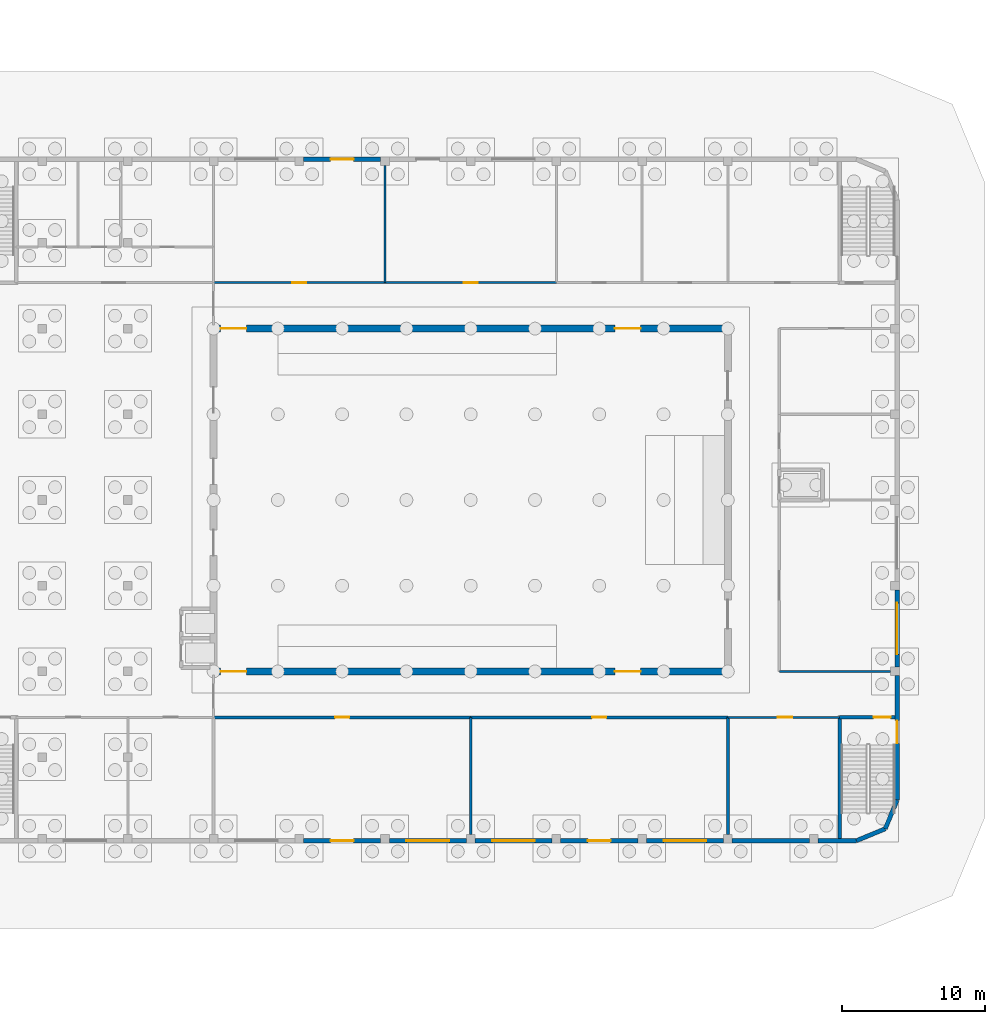
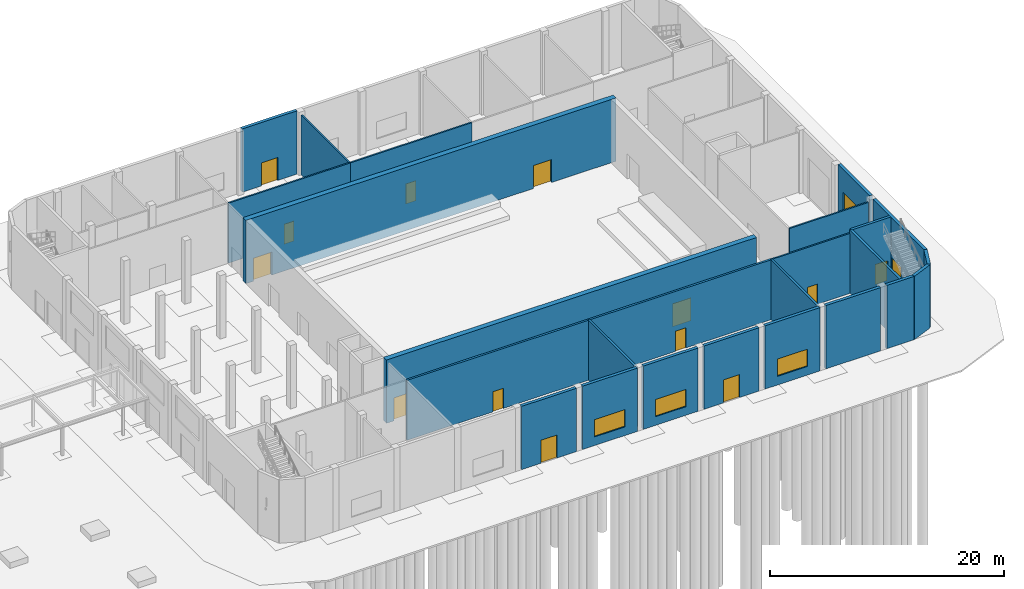
# One storey, part 34 of 44: 25 walls, 15 doors, 3 windows, 18 openings.
"""IFC4 building model written with IfcOpenShell, lengths in metres."""

from ifc_helpers import new_model, si_unit, direction, frame, frame_2d, origin, place, context, subcontext, project, spatial, rectangle, extrude, material, layer, layer_set, type_object, element, fill, save


model = new_model("IFC4")

# Units and contexts
model_context = context("Model", 3, precision=1e-05, world=origin(), true_north=direction((0.0, 1.0)))
body_context = subcontext(model_context, "Body", "Model", "MODEL_VIEW")
ifc_project = project(units=[si_unit("LENGTHUNIT", "METRE"), si_unit("AREAUNIT", "SQUARE_METRE"), si_unit("VOLUMEUNIT", "CUBIC_METRE"), si_unit("PLANEANGLEUNIT", "RADIAN"), si_unit("MASSUNIT", "GRAM", prefix="KILO")], contexts=[model_context])

# Site, building, storey
site_placement = place(None, origin())
site = spatial("IfcSite", under=ifc_project, at=site_placement, CompositionType="ELEMENT")
building_placement = place(site_placement, origin())
building = spatial("IfcBuilding", under=site, at=building_placement, Name="Nakaniwa Court", CompositionType="ELEMENT")
storey_placement = place(building_placement, origin())
storey = spatial("IfcBuildingStorey", under=building, at=storey_placement, Name="L00", CompositionType="ELEMENT", Elevation=0.0)

# Wall, opening, door
ifc_material_1 = material(Name="Double steel stud acoustic partition with mineral wool", Category="steel")
ifc_layer_1 = layer(ifc_material_1, 0.199951171875)
ifc_layer_set_1 = layer_set([ifc_layer_1], Name="Double steel stud acoustic partition with mineral wool")
wall_type_1 = type_object("IfcWallType", Name="Acoustic partition 200", PredefinedType="PARTITIONING", material=ifc_layer_set_1)
wall_1_placement = place(storey_placement, frame((188.0, 64.784912109375, 0.0), z_axis=(0.0, 0.0, 1.0), x_axis=(-1.0, 0.0, 0.0)))
wall_1 = element("IfcWall", 1, at=wall_1_placement, inside=storey, type_object=wall_type_1, Name="L00 partition wall 23", PredefinedType="PARTITIONING", context=body_context, shape_type="SweptSolid", body=[
    extrude(rectangle(XDim=18.0, YDim=0.199951171875, at=frame_2d((9.0, 0.0))), origin(), (0.0, 0.0, 1.0), 6.25),
])
opening_1_placement = place(wall_1_placement, frame((8.5, 0.0, 0.0)))
opening_1 = element("IfcOpeningElement", 2, at=opening_1_placement, cuts=wall_1, Name="Opening HD-25", PredefinedType="OPENING", context=body_context, shape_type="SweptSolid", body=[
    extrude(rectangle(XDim=1.0, YDim=2.10009765625, at=frame_2d((0.5, 1.050048828125))), frame((0.0, 0.10986328125, 0.0), z_axis=(0.0, -1.0, 0.0), x_axis=(1.0, 0.0, 0.0)), (0.0, 0.0, 1.0), 0.219970703125),
])
ifc_material_2 = material(Name="Solid-core timber door leaf in steel frame", Category="steel")
door_type_1 = type_object("IfcDoorType", Name="Hall door 1000x2100", OperationType="SINGLE_SWING_LEFT", PredefinedType="DOOR", material=ifc_material_2)
door_1_placement = place(opening_1_placement, origin())
door_1 = element("IfcDoor", 3, at=door_1_placement, inside=storey, type_object=door_type_1, Name="L00 door Rehearsal-room-1", OperationType="SINGLE_SWING_RIGHT", OverallHeight=2.10009765625, OverallWidth=1.0, PredefinedType="DOOR", context=body_context, shape_type="SweptSolid", body=[
    extrude(rectangle(XDim=1.0, YDim=2.10009765625, at=frame_2d((0.5, 1.050048828125))), frame((0.0, 0.02490234375, 0.0), z_axis=(0.0, -1.0, 0.0), x_axis=(1.0, 0.0, 0.0)), (0.0, 0.0, 1.0), 0.050048828125),
])
fill(opening_1, door_1)

# Wall
wall_2_placement = place(storey_placement, frame((188.0, 64.784912109375, 0.0), z_axis=(0.0, 0.0, 1.0), x_axis=(0.0, -1.0, 0.0)))
element("IfcWall", 4, at=wall_2_placement, inside=storey, type_object=wall_type_1, Name="L00 partition wall 31", PredefinedType="PARTITIONING", context=body_context, shape_type="SweptSolid", body=[
    extrude(rectangle(XDim=8.184814453125, YDim=0.199951171875, at=frame_2d((4.09228515625, 0.0))), origin(), (0.0, 0.0, 1.0), 6.25),
])

# Wall, opening, door
wall_3_placement = place(storey_placement, frame((206.0, 64.784912109375, 0.0), z_axis=(0.0, 0.0, 1.0), x_axis=(-1.0, 0.0, 0.0)))
wall_3 = element("IfcWall", 5, at=wall_3_placement, inside=storey, type_object=wall_type_1, Name="L00 partition wall 32", PredefinedType="PARTITIONING", context=body_context, shape_type="SweptSolid", body=[
    extrude(rectangle(XDim=18.0, YDim=0.199951171875, at=frame_2d((9.0, 0.0))), origin(), (0.0, 0.0, 1.0), 6.25),
])
opening_2_placement = place(wall_3_placement, frame((8.5, 0.0, 0.0)))
opening_2 = element("IfcOpeningElement", 6, at=opening_2_placement, cuts=wall_3, Name="Opening HD-30", PredefinedType="OPENING", context=body_context, shape_type="SweptSolid", body=[
    extrude(rectangle(XDim=1.0, YDim=2.10009765625, at=frame_2d((0.5, 1.050048828125))), frame((0.0, 0.10986328125, 0.0), z_axis=(0.0, -1.0, 0.0), x_axis=(1.0, 0.0, 0.0)), (0.0, 0.0, 1.0), 0.219970703125),
])
door_2_placement = place(opening_2_placement, origin())
door_2 = element("IfcDoor", 7, at=door_2_placement, inside=storey, type_object=door_type_1, Name="L00 door Rehearsal-room-2", OperationType="SINGLE_SWING_LEFT", OverallHeight=2.10009765625, OverallWidth=1.0, PredefinedType="DOOR", context=body_context, shape_type="SweptSolid", body=[
    extrude(rectangle(XDim=1.0, YDim=2.10009765625, at=frame_2d((0.5, 1.050048828125))), frame((0.0, 0.02490234375, 0.0), z_axis=(0.0, -1.0, 0.0), x_axis=(1.0, 0.0, 0.0)), (0.0, 0.0, 1.0), 0.050048828125),
])
fill(opening_2, door_2)

# Wall
wall_4_placement = place(storey_placement, frame((206.0, 64.784912109375, 0.0), z_axis=(0.0, 0.0, 1.0), x_axis=(0.0, -1.0, 0.0)))
element("IfcWall", 8, at=wall_4_placement, inside=storey, type_object=wall_type_1, Name="L00 partition wall 37", PredefinedType="PARTITIONING", context=body_context, shape_type="SweptSolid", body=[
    extrude(rectangle(XDim=8.184814453125, YDim=0.199951171875, at=frame_2d((4.09228515625, 0.0))), origin(), (0.0, 0.0, 1.0), 6.25),
])

# Wall, openings, doors
ifc_material_3 = material(Name="Concrete C50/60", Category="concrete")
ifc_layer_2 = layer(ifc_material_3, 0.5)
ifc_layer_set_2 = layer_set([ifc_layer_2], Name="Concrete C50/60")
wall_type_2 = type_object("IfcWallType", Name="Auditorium acoustic mass wall RC 500", PredefinedType="SHEAR", material=ifc_layer_set_2)
wall_5_placement = place(storey_placement, frame((206.25, 68.0, 0.0), z_axis=(0.0, 0.0, 1.0), x_axis=(-1.0, 0.0, 0.0)))
wall_5 = element("IfcWall", 9, at=wall_5_placement, inside=storey, type_object=wall_type_2, Name="Auditorium south wall L00", PredefinedType="SHEAR", context=body_context, shape_type="SweptSolid", body=[
    extrude(rectangle(XDim=36.5, YDim=0.5, at=frame_2d((18.25, 0.0))), origin(), (0.0, 0.0, 1.0), 6.60009765625),
])
opening_3_placement = place(wall_5_placement, frame((33.949951171875, 0.0, 0.0)))
opening_3 = element("IfcOpeningElement", 10, at=opening_3_placement, cuts=wall_5, Name="Opening HD-43", PredefinedType="OPENING", context=body_context, shape_type="SweptSolid", body=[
    extrude(rectangle(XDim=1.800048828125, YDim=2.39990234375, at=frame_2d((0.89990234375, 1.199951171875))), frame((0.0, 0.260009765625, 0.0), z_axis=(0.0, -1.0, 0.0), x_axis=(1.0, 0.0, 0.0)), (0.0, 0.0, 1.0), 0.52001953125),
])
opening_4_placement = place(wall_5_placement, frame((6.35009765625, 0.0, 0.0)))
opening_4 = element("IfcOpeningElement", 11, at=opening_4_placement, cuts=wall_5, Name="Opening HD-45", PredefinedType="OPENING", context=body_context, shape_type="SweptSolid", body=[
    extrude(rectangle(XDim=1.800048828125, YDim=2.39990234375, at=frame_2d((0.89990234375, 1.199951171875))), frame((0.0, 0.260009765625, 0.0), z_axis=(0.0, -1.0, 0.0), x_axis=(1.0, 0.0, 0.0)), (0.0, 0.0, 1.0), 0.52001953125),
])
ifc_material_4 = material(Name="Acoustic solid-core timber double leaf in steel frame", Category="steel")
door_type_2 = type_object("IfcDoorType", Name="Hall acoustic double door 1800x2400", OperationType="DOUBLE_DOOR_SINGLE_SWING", PredefinedType="DOOR", material=ifc_material_4)
door_3_placement = place(opening_3_placement, origin())
door_3 = element("IfcDoor", 12, at=door_3_placement, inside=storey, type_object=door_type_2, Name="L00 door side-S1", OperationType="DOUBLE_DOOR_SINGLE_SWING", OverallHeight=2.39990234375, OverallWidth=1.800048828125, PredefinedType="DOOR", context=body_context, shape_type="SweptSolid", body=[
    extrude(rectangle(XDim=1.800048828125, YDim=2.39990234375, at=frame_2d((0.89990234375, 1.199951171875))), frame((0.0, 0.02490234375, 0.0), z_axis=(0.0, -1.0, 0.0), x_axis=(1.0, 0.0, 0.0)), (0.0, 0.0, 1.0), 0.050048828125),
])
fill(opening_3, door_3)
door_4_placement = place(opening_4_placement, origin())
door_4 = element("IfcDoor", 13, at=door_4_placement, inside=storey, type_object=door_type_2, Name="L00 door side-S2", OperationType="DOUBLE_DOOR_SINGLE_SWING", OverallHeight=2.39990234375, OverallWidth=1.800048828125, PredefinedType="DOOR", context=body_context, shape_type="SweptSolid", body=[
    extrude(rectangle(XDim=1.800048828125, YDim=2.39990234375, at=frame_2d((0.89990234375, 1.199951171875))), frame((0.0, 0.02490234375, 0.0), z_axis=(0.0, -1.0, 0.0), x_axis=(1.0, 0.0, 0.0)), (0.0, 0.0, 1.0), 0.050048828125),
])
fill(opening_4, door_4)

wall_6_placement = place(storey_placement, frame((169.75, 92.0, 0.0), z_axis=(0.0, 0.0, 1.0), x_axis=(1.0, 0.0, 0.0)))
wall_6 = element("IfcWall", 14, at=wall_6_placement, inside=storey, type_object=wall_type_2, Name="Auditorium north wall L00", PredefinedType="SHEAR", context=body_context, shape_type="SweptSolid", body=[
    extrude(rectangle(XDim=36.5, YDim=0.5, at=frame_2d((18.25, 0.0))), origin(), (0.0, 0.0, 1.0), 6.60009765625),
])
opening_5_placement = place(wall_6_placement, frame((0.75, 0.0, 0.0)))
opening_5 = element("IfcOpeningElement", 15, at=opening_5_placement, cuts=wall_6, Name="Opening HD-44", PredefinedType="OPENING", context=body_context, shape_type="SweptSolid", body=[
    extrude(rectangle(XDim=1.800048828125, YDim=2.39990234375, at=frame_2d((0.89990234375, 1.199951171875))), frame((0.0, 0.260009765625, 0.0), z_axis=(0.0, -1.0, 0.0), x_axis=(1.0, 0.0, 0.0)), (0.0, 0.0, 1.0), 0.52001953125),
])
opening_6_placement = place(wall_6_placement, frame((28.35009765625, 0.0, 0.0)))
opening_6 = element("IfcOpeningElement", 16, at=opening_6_placement, cuts=wall_6, Name="Opening HD-46", PredefinedType="OPENING", context=body_context, shape_type="SweptSolid", body=[
    extrude(rectangle(XDim=1.800048828125, YDim=2.39990234375, at=frame_2d((0.89990234375, 1.199951171875))), frame((0.0, 0.260009765625, 0.0), z_axis=(0.0, -1.0, 0.0), x_axis=(1.0, 0.0, 0.0)), (0.0, 0.0, 1.0), 0.52001953125),
])
door_5_placement = place(opening_5_placement, origin())
door_5 = element("IfcDoor", 17, at=door_5_placement, inside=storey, type_object=door_type_2, Name="L00 door side-N1", OperationType="DOUBLE_DOOR_SINGLE_SWING", OverallHeight=2.39990234375, OverallWidth=1.800048828125, PredefinedType="DOOR", context=body_context, shape_type="SweptSolid", body=[
    extrude(rectangle(XDim=1.800048828125, YDim=2.39990234375, at=frame_2d((0.89990234375, 1.199951171875))), frame((0.0, 0.02490234375, 0.0), z_axis=(0.0, -1.0, 0.0), x_axis=(1.0, 0.0, 0.0)), (0.0, 0.0, 1.0), 0.050048828125),
])
fill(opening_5, door_5)
door_6_placement = place(opening_6_placement, origin())
door_6 = element("IfcDoor", 18, at=door_6_placement, inside=storey, type_object=door_type_2, Name="L00 door side-N2", OperationType="DOUBLE_DOOR_SINGLE_SWING", OverallHeight=2.39990234375, OverallWidth=1.800048828125, PredefinedType="DOOR", context=body_context, shape_type="SweptSolid", body=[
    extrude(rectangle(XDim=1.800048828125, YDim=2.39990234375, at=frame_2d((0.89990234375, 1.199951171875))), frame((0.0, 0.02490234375, 0.0), z_axis=(0.0, -1.0, 0.0), x_axis=(1.0, 0.0, 0.0)), (0.0, 0.0, 1.0), 0.050048828125),
])
fill(opening_6, door_6)

# Wall, opening, door
ifc_layer_3 = layer(ifc_material_3, 0.300048828125)
ifc_layer_set_3 = layer_set([ifc_layer_3], Name="Concrete C50/60")
wall_type_3 = type_object("IfcWallType", Name="Fair faced concrete wall 300", PredefinedType="SOLIDWALL", material=ifc_layer_set_3)
wall_7_placement = place(storey_placement, frame((176.300048828125, 103.85009765625, 0.0), z_axis=(0.0, 0.0, 1.0), x_axis=(1.0, 0.0, 0.0)))
wall_7 = element("IfcWall", 19, at=wall_7_placement, inside=storey, type_object=wall_type_3, Name="Facade wall L00 15", PredefinedType="SOLIDWALL", context=body_context, shape_type="SweptSolid", body=[
    extrude(rectangle(XDim=5.39990234375, YDim=0.300048828125, at=frame_2d((2.699951171875, 0.0))), origin(), (0.0, 0.0, 1.0), 6.60009765625),
])
opening_7_placement = place(wall_7_placement, frame((1.89990234375, 0.0, 0.0)))
opening_7 = element("IfcOpeningElement", 20, at=opening_7_placement, cuts=wall_7, Name="Opening HD-09", PredefinedType="OPENING", context=body_context, shape_type="SweptSolid", body=[
    extrude(rectangle(XDim=1.60009765625, YDim=2.39990234375, at=frame_2d((0.800048828125, 1.199951171875))), frame((0.0, 0.159912109375, 0.0), z_axis=(0.0, -1.0, 0.0), x_axis=(1.0, 0.0, 0.0)), (0.0, 0.0, 1.0), 0.320068359375),
])
ifc_material_5 = material(Name="Insulated steel door leaf in steel frame", Category="steel")
door_type_3 = type_object("IfcDoorType", Name="Hall exit double door 1600x2400", OperationType="DOUBLE_DOOR_SINGLE_SWING", PredefinedType="DOOR", material=ifc_material_5)
door_7_placement = place(opening_7_placement, origin())
door_7 = element("IfcDoor", 21, at=door_7_placement, inside=storey, type_object=door_type_3, Name="Exit door Green room", OperationType="SINGLE_SWING_LEFT", OverallHeight=2.39990234375, OverallWidth=1.60009765625, PredefinedType="DOOR", context=body_context, shape_type="SweptSolid", body=[
    extrude(rectangle(XDim=1.60009765625, YDim=2.39990234375, at=frame_2d((0.800048828125, 1.199951171875))), frame((0.0, 0.02490234375, 0.0), z_axis=(0.0, -1.0, 0.0), x_axis=(1.0, 0.0, 0.0)), (0.0, 0.0, 1.0), 0.050048828125),
])
fill(opening_7, door_7)

wall_8_placement = place(storey_placement, frame((217.85009765625, 73.699951171875, 0.0), z_axis=(0.0, 0.0, 1.0), x_axis=(0.0, -1.0, 0.0)))
wall_8 = element("IfcWall", 22, at=wall_8_placement, inside=storey, type_object=wall_type_3, Name="Facade wall L00 28", PredefinedType="SOLIDWALL", context=body_context, shape_type="SweptSolid", body=[
    extrude(rectangle(XDim=5.39990234375, YDim=0.300048828125, at=frame_2d((2.699951171875, 0.0))), origin(), (0.0, 0.0, 1.0), 6.60009765625),
])
opening_8_placement = place(wall_8_placement, frame((0.89990234375, 0.0, 0.0)))
opening_8 = element("IfcOpeningElement", 23, at=opening_8_placement, cuts=wall_8, Name="Opening HD-13", PredefinedType="OPENING", context=body_context, shape_type="SweptSolid", body=[
    extrude(rectangle(XDim=3.60009765625, YDim=4.199951171875, at=frame_2d((1.800048828125, 2.10009765625))), frame((0.0, 0.159912109375, 0.0), z_axis=(0.0, -1.0, 0.0), x_axis=(1.0, 0.0, 0.0)), (0.0, 0.0, 1.0), 0.320068359375),
])
ifc_material_6 = material(Name="Insulated galvanised steel roller shutter", Category="steel")
door_type_4 = type_object("IfcDoorType", Name="Hall loading dock roller shutter 3600x4200", OperationType="ROLLINGUP", PredefinedType="DOOR", material=ifc_material_6)
door_8_placement = place(opening_8_placement, origin())
door_8 = element("IfcDoor", 24, at=door_8_placement, inside=storey, type_object=door_type_4, Name="Loading dock shutter 027", OperationType="SINGLE_SWING_LEFT", OverallHeight=4.199951171875, OverallWidth=3.60009765625, PredefinedType="DOOR", context=body_context, shape_type="SweptSolid", body=[
    extrude(rectangle(XDim=3.60009765625, YDim=4.199951171875, at=frame_2d((1.800048828125, 2.10009765625))), frame((0.0, 0.02490234375, 0.0), z_axis=(0.0, -1.0, 0.0), x_axis=(1.0, 0.0, 0.0)), (0.0, 0.0, 1.0), 0.050048828125),
])
fill(opening_8, door_8)

wall_9_placement = place(storey_placement, frame((217.85009765625, 67.699951171875, 0.0), z_axis=(0.0, 0.0, 1.0), x_axis=(0.0, -1.0, 0.0)))
wall_9 = element("IfcWall", 25, at=wall_9_placement, inside=storey, type_object=wall_type_3, Name="Facade wall L00 29", PredefinedType="SOLIDWALL", context=body_context, shape_type="SweptSolid", body=[
    extrude(rectangle(XDim=8.699951171875, YDim=0.300048828125, at=frame_2d((4.35009765625, 0.0))), origin(), (0.0, 0.0, 1.0), 6.60009765625),
])
opening_9_placement = place(wall_9_placement, frame((3.139892578125, 0.0, 0.0)))
opening_9 = element("IfcOpeningElement", 26, at=opening_9_placement, cuts=wall_9, Name="Opening HD-14", PredefinedType="OPENING", context=body_context, shape_type="SweptSolid", body=[
    extrude(rectangle(XDim=1.60009765625, YDim=2.39990234375, at=frame_2d((0.800048828125, 1.199951171875))), frame((0.0, 0.159912109375, 0.0), z_axis=(0.0, -1.0, 0.0), x_axis=(1.0, 0.0, 0.0)), (0.0, 0.0, 1.0), 0.320068359375),
])
door_9_placement = place(opening_9_placement, origin())
door_9 = element("IfcDoor", 27, at=door_9_placement, inside=storey, type_object=door_type_3, Name="Exit door ST-H3", OperationType="SINGLE_SWING_LEFT", OverallHeight=2.39990234375, OverallWidth=1.60009765625, PredefinedType="DOOR", context=body_context, shape_type="SweptSolid", body=[
    extrude(rectangle(XDim=1.60009765625, YDim=2.39990234375, at=frame_2d((0.800048828125, 1.199951171875))), frame((0.0, 0.02490234375, 0.0), z_axis=(0.0, -1.0, 0.0), x_axis=(1.0, 0.0, 0.0)), (0.0, 0.0, 1.0), 0.050048828125),
])
fill(opening_9, door_9)

# Walls
for number, where, z_axis, x_axis, name in (
    (28, (217.85009765625, 59.0, 0.0), (0.0, 0.0, 1.0), (-0.382651625058, -0.923892706888, 0.0), "Facade wall L00 30"),
    (29, (217.015380859375, 56.984619140625, 0.0), (0.0, 0.0, 1.0), (-0.923892706888, -0.382651625058, 0.0), "Facade wall L00 31"),
):
    element("IfcWall", number, at=place(storey_placement, frame(where, z_axis=z_axis, x_axis=x_axis)), inside=storey, type_object=wall_type_3, Name=name, PredefinedType="SOLIDWALL", context=body_context, shape_type="SweptSolid", body=[
        extrude(rectangle(XDim=2.181396484375, YDim=0.300048828125, at=frame_2d((1.0908203125, 0.0))), origin(), (0.0, 0.0, 1.0), 6.60009765625),
    ])
wall_10_placement = place(storey_placement, frame((215.0, 56.14990234375, 0.0), z_axis=(0.0, 0.0, 1.0), x_axis=(-1.0, 0.0, 0.0)))
element("IfcWall", 30, at=wall_10_placement, inside=storey, type_object=wall_type_3, Name="Facade wall L00 32", PredefinedType="SOLIDWALL", context=body_context, shape_type="SweptSolid", body=[
    extrude(rectangle(XDim=2.699951171875, YDim=0.300048828125, at=frame_2d((1.35009765625, 0.0))), origin(), (0.0, 0.0, 1.0), 6.60009765625),
])
wall_11_placement = place(storey_placement, frame((211.699951171875, 56.14990234375, 0.0), z_axis=(0.0, 0.0, 1.0), x_axis=(-1.0, 0.0, 0.0)))
element("IfcWall", 31, at=wall_11_placement, inside=storey, type_object=wall_type_3, Name="Facade wall L00 33", PredefinedType="SOLIDWALL", context=body_context, shape_type="SweptSolid", body=[
    extrude(rectangle(XDim=5.39990234375, YDim=0.300048828125, at=frame_2d((2.699951171875, 0.0))), origin(), (0.0, 0.0, 1.0), 6.60009765625),
])

# Wall, opening, window
wall_12_placement = place(storey_placement, frame((205.699951171875, 56.14990234375, 0.0), z_axis=(0.0, 0.0, 1.0), x_axis=(-1.0, 0.0, 0.0)))
wall_12 = element("IfcWall", 32, at=wall_12_placement, inside=storey, type_object=wall_type_3, Name="Facade wall L00 34", PredefinedType="SOLIDWALL", context=body_context, shape_type="SweptSolid", body=[
    extrude(rectangle(XDim=5.39990234375, YDim=0.300048828125, at=frame_2d((2.699951171875, 0.0))), origin(), (0.0, 0.0, 1.0), 6.60009765625),
])
opening_10_placement = place(wall_12_placement, frame((1.199951171875, 0.0, 0.89990234375)))
opening_10 = element("IfcOpeningElement", 33, at=opening_10_placement, cuts=wall_12, Name="Opening HWN-13", PredefinedType="OPENING", context=body_context, shape_type="SweptSolid", body=[
    extrude(rectangle(XDim=3.0, YDim=1.800048828125, at=frame_2d((1.5, 0.89990234375))), frame((0.0, 0.159912109375, 0.0), z_axis=(0.0, -1.0, 0.0), x_axis=(1.0, 0.0, 0.0)), (0.0, 0.0, 1.0), 0.320068359375),
])
ifc_material_7 = material(Name="Black powder-coated aluminium frame with dark glass", Category="aluminium")
window_type = type_object("IfcWindowType", Name="Hall window 3000x1800", PartitioningType="SINGLE_PANEL", PredefinedType="WINDOW", material=ifc_material_7)
window_1_placement = place(opening_10_placement, origin())
window_1 = element("IfcWindow", 34, at=window_1_placement, inside=storey, type_object=window_type, Name="Window L00:033", OverallHeight=1.800048828125, OverallWidth=3.0, PartitioningType="SINGLE_PANEL", PredefinedType="WINDOW", context=body_context, shape_type="SweptSolid", body=[
    extrude(rectangle(XDim=3.0, YDim=1.800048828125, at=frame_2d((1.5, 0.89990234375))), frame((0.0, 0.030029296875, 0.0), z_axis=(0.0, -1.0, 0.0), x_axis=(1.0, 0.0, 0.0)), (0.0, 0.0, 1.0), 0.06005859375),
])
fill(opening_10, window_1)

# Wall, opening, door
wall_13_placement = place(storey_placement, frame((199.699951171875, 56.14990234375, 0.0), z_axis=(0.0, 0.0, 1.0), x_axis=(-1.0, 0.0, 0.0)))
wall_13 = element("IfcWall", 35, at=wall_13_placement, inside=storey, type_object=wall_type_3, Name="Facade wall L00 35", PredefinedType="SOLIDWALL", context=body_context, shape_type="SweptSolid", body=[
    extrude(rectangle(XDim=5.39990234375, YDim=0.300048828125, at=frame_2d((2.699951171875, 0.0))), origin(), (0.0, 0.0, 1.0), 6.60009765625),
])
opening_11_placement = place(wall_13_placement, frame((1.89990234375, 0.0, 0.0)))
opening_11 = element("IfcOpeningElement", 36, at=opening_11_placement, cuts=wall_13, Name="Opening HD-15", PredefinedType="OPENING", context=body_context, shape_type="SweptSolid", body=[
    extrude(rectangle(XDim=1.60009765625, YDim=2.39990234375, at=frame_2d((0.800048828125, 1.199951171875))), frame((0.0, 0.159912109375, 0.0), z_axis=(0.0, -1.0, 0.0), x_axis=(1.0, 0.0, 0.0)), (0.0, 0.0, 1.0), 0.320068359375),
])
door_10_placement = place(opening_11_placement, origin())
door_10 = element("IfcDoor", 37, at=door_10_placement, inside=storey, type_object=door_type_3, Name="Exit door Rehearsal room 2", OperationType="SINGLE_SWING_LEFT", OverallHeight=2.39990234375, OverallWidth=1.60009765625, PredefinedType="DOOR", context=body_context, shape_type="SweptSolid", body=[
    extrude(rectangle(XDim=1.60009765625, YDim=2.39990234375, at=frame_2d((0.800048828125, 1.199951171875))), frame((0.0, 0.02490234375, 0.0), z_axis=(0.0, -1.0, 0.0), x_axis=(1.0, 0.0, 0.0)), (0.0, 0.0, 1.0), 0.050048828125),
])
fill(opening_11, door_10)

# Wall, opening, window
wall_14_placement = place(storey_placement, frame((193.699951171875, 56.14990234375, 0.0), z_axis=(0.0, 0.0, 1.0), x_axis=(-1.0, 0.0, 0.0)))
wall_14 = element("IfcWall", 38, at=wall_14_placement, inside=storey, type_object=wall_type_3, Name="Facade wall L00 36", PredefinedType="SOLIDWALL", context=body_context, shape_type="SweptSolid", body=[
    extrude(rectangle(XDim=5.39990234375, YDim=0.300048828125, at=frame_2d((2.699951171875, 0.0))), origin(), (0.0, 0.0, 1.0), 6.60009765625),
])
opening_12_placement = place(wall_14_placement, frame((1.199951171875, 0.0, 0.89990234375)))
opening_12 = element("IfcOpeningElement", 39, at=opening_12_placement, cuts=wall_14, Name="Opening HWN-14", PredefinedType="OPENING", context=body_context, shape_type="SweptSolid", body=[
    extrude(rectangle(XDim=3.0, YDim=1.800048828125, at=frame_2d((1.5, 0.89990234375))), frame((0.0, 0.159912109375, 0.0), z_axis=(0.0, -1.0, 0.0), x_axis=(1.0, 0.0, 0.0)), (0.0, 0.0, 1.0), 0.320068359375),
])
window_2_placement = place(opening_12_placement, origin())
window_2 = element("IfcWindow", 40, at=window_2_placement, inside=storey, type_object=window_type, Name="Window L00:035", OverallHeight=1.800048828125, OverallWidth=3.0, PartitioningType="SINGLE_PANEL", PredefinedType="WINDOW", context=body_context, shape_type="SweptSolid", body=[
    extrude(rectangle(XDim=3.0, YDim=1.800048828125, at=frame_2d((1.5, 0.89990234375))), frame((0.0, 0.030029296875, 0.0), z_axis=(0.0, -1.0, 0.0), x_axis=(1.0, 0.0, 0.0)), (0.0, 0.0, 1.0), 0.06005859375),
])
fill(opening_12, window_2)

wall_15_placement = place(storey_placement, frame((187.699951171875, 56.14990234375, 0.0), z_axis=(0.0, 0.0, 1.0), x_axis=(-1.0, 0.0, 0.0)))
wall_15 = element("IfcWall", 41, at=wall_15_placement, inside=storey, type_object=wall_type_3, Name="Facade wall L00 37", PredefinedType="SOLIDWALL", context=body_context, shape_type="SweptSolid", body=[
    extrude(rectangle(XDim=5.39990234375, YDim=0.300048828125, at=frame_2d((2.699951171875, 0.0))), origin(), (0.0, 0.0, 1.0), 6.60009765625),
])
opening_13_placement = place(wall_15_placement, frame((1.199951171875, 0.0, 0.89990234375)))
opening_13 = element("IfcOpeningElement", 42, at=opening_13_placement, cuts=wall_15, Name="Opening HWN-15", PredefinedType="OPENING", context=body_context, shape_type="SweptSolid", body=[
    extrude(rectangle(XDim=3.0, YDim=1.800048828125, at=frame_2d((1.5, 0.89990234375))), frame((0.0, 0.159912109375, 0.0), z_axis=(0.0, -1.0, 0.0), x_axis=(1.0, 0.0, 0.0)), (0.0, 0.0, 1.0), 0.320068359375),
])
window_3_placement = place(opening_13_placement, origin())
window_3 = element("IfcWindow", 43, at=window_3_placement, inside=storey, type_object=window_type, Name="Window L00:036", OverallHeight=1.800048828125, OverallWidth=3.0, PartitioningType="SINGLE_PANEL", PredefinedType="WINDOW", context=body_context, shape_type="SweptSolid", body=[
    extrude(rectangle(XDim=3.0, YDim=1.800048828125, at=frame_2d((1.5, 0.89990234375))), frame((0.0, 0.030029296875, 0.0), z_axis=(0.0, -1.0, 0.0), x_axis=(1.0, 0.0, 0.0)), (0.0, 0.0, 1.0), 0.06005859375),
])
fill(opening_13, window_3)

# Wall, opening, door
wall_16_placement = place(storey_placement, frame((181.699951171875, 56.14990234375, 0.0), z_axis=(0.0, 0.0, 1.0), x_axis=(-1.0, 0.0, 0.0)))
wall_16 = element("IfcWall", 44, at=wall_16_placement, inside=storey, type_object=wall_type_3, Name="Facade wall L00 38", PredefinedType="SOLIDWALL", context=body_context, shape_type="SweptSolid", body=[
    extrude(rectangle(XDim=5.39990234375, YDim=0.300048828125, at=frame_2d((2.699951171875, 0.0))), origin(), (0.0, 0.0, 1.0), 6.60009765625),
])
opening_14_placement = place(wall_16_placement, frame((1.89990234375, 0.0, 0.0)))
opening_14 = element("IfcOpeningElement", 45, at=opening_14_placement, cuts=wall_16, Name="Opening HD-16", PredefinedType="OPENING", context=body_context, shape_type="SweptSolid", body=[
    extrude(rectangle(XDim=1.60009765625, YDim=2.39990234375, at=frame_2d((0.800048828125, 1.199951171875))), frame((0.0, 0.159912109375, 0.0), z_axis=(0.0, -1.0, 0.0), x_axis=(1.0, 0.0, 0.0)), (0.0, 0.0, 1.0), 0.320068359375),
])
door_11_placement = place(opening_14_placement, origin())
door_11 = element("IfcDoor", 46, at=door_11_placement, inside=storey, type_object=door_type_3, Name="Exit door Rehearsal room 1", OperationType="SINGLE_SWING_LEFT", OverallHeight=2.39990234375, OverallWidth=1.60009765625, PredefinedType="DOOR", context=body_context, shape_type="SweptSolid", body=[
    extrude(rectangle(XDim=1.60009765625, YDim=2.39990234375, at=frame_2d((0.800048828125, 1.199951171875))), frame((0.0, 0.02490234375, 0.0), z_axis=(0.0, -1.0, 0.0), x_axis=(1.0, 0.0, 0.0)), (0.0, 0.0, 1.0), 0.050048828125),
])
fill(opening_14, door_11)

# Wall
ifc_material_8 = material(Name="Concrete C40/50", Category="concrete")
ifc_layer_4 = layer(ifc_material_8, 0.25)
ifc_layer_set_4 = layer_set([ifc_layer_4], Name="Concrete C40/50")
wall_type_4 = type_object("IfcWallType", Name="Fire isolated shaft wall RC 250", PredefinedType="SOLIDWALL", material=ifc_layer_set_4)
wall_17_placement = place(storey_placement, frame((213.824951171875, 56.300048828125, 0.0), z_axis=(0.0, 0.0, 1.0), x_axis=(0.0, 1.0, 0.0)))
element("IfcWall", 47, at=wall_17_placement, inside=storey, type_object=wall_type_4, Name="L00 shaft wall 52", PredefinedType="SOLIDWALL", context=body_context, shape_type="SweptSolid", body=[
    extrude(rectangle(XDim=8.48486328125, YDim=0.25, at=frame_2d((4.242431640625, 0.0))), origin(), (0.0, 0.0, 1.0), 6.60009765625),
])

# Wall, opening, door
wall_18_placement = place(storey_placement, frame((217.699951171875, 64.784912109375, 0.0), z_axis=(0.0, 0.0, 1.0), x_axis=(-1.0, 0.0, 0.0)))
wall_18 = element("IfcWall", 48, at=wall_18_placement, inside=storey, type_object=wall_type_4, Name="L00 shaft wall 53", PredefinedType="SOLIDWALL", context=body_context, shape_type="SweptSolid", body=[
    extrude(rectangle(XDim=3.875, YDim=0.25, at=frame_2d((1.9375, 0.0))), origin(), (0.0, 0.0, 1.0), 6.60009765625),
])
opening_15_placement = place(wall_18_placement, frame((0.300048828125, 0.0, 0.0)))
opening_15 = element("IfcOpeningElement", 49, at=opening_15_placement, cuts=wall_18, Name="Opening HD-38", PredefinedType="OPENING", context=body_context, shape_type="SweptSolid", body=[
    extrude(rectangle(XDim=1.199951171875, YDim=2.10009765625, at=frame_2d((0.60009765625, 1.050048828125))), frame((0.0, 0.135009765625, 0.0), z_axis=(0.0, -1.0, 0.0), x_axis=(1.0, 0.0, 0.0)), (0.0, 0.0, 1.0), 0.27001953125),
])
door_type_5 = type_object("IfcDoorType", Name="Hall stair door 1200x2100", OperationType="SINGLE_SWING_LEFT", PredefinedType="DOOR", material=ifc_material_5)
door_12_placement = place(opening_15_placement, origin())
door_12 = element("IfcDoor", 50, at=door_12_placement, inside=storey, type_object=door_type_5, Name="L00 door Exit-stair-H3", OperationType="SINGLE_SWING_LEFT", OverallHeight=2.10009765625, OverallWidth=1.199951171875, PredefinedType="DOOR", context=body_context, shape_type="SweptSolid", body=[
    extrude(rectangle(XDim=1.199951171875, YDim=2.10009765625, at=frame_2d((0.60009765625, 1.050048828125))), frame((0.0, 0.02490234375, 0.0), z_axis=(0.0, -1.0, 0.0), x_axis=(1.0, 0.0, 0.0)), (0.0, 0.0, 1.0), 0.050048828125),
])
fill(opening_15, door_12)

ifc_material_9 = material(Name="Steel stud plasterboard partition", Category="steel")
ifc_layer_5 = layer(ifc_material_9, 0.14990234375)
ifc_layer_set_5 = layer_set([ifc_layer_5], Name="Steel stud plasterboard partition")
wall_type_5 = type_object("IfcWallType", Name="Partition 150", PredefinedType="PARTITIONING", material=ifc_layer_set_5)
wall_19_placement = place(storey_placement, frame((170.0, 95.215087890625, 0.0), z_axis=(0.0, 0.0, 1.0), x_axis=(1.0, 0.0, 0.0)))
wall_19 = element("IfcWall", 51, at=wall_19_placement, inside=storey, type_object=wall_type_5, Name="L00 partition wall 26", PredefinedType="PARTITIONING", context=body_context, shape_type="SweptSolid", body=[
    extrude(rectangle(XDim=12.0, YDim=0.14990234375, at=frame_2d((6.0, 0.0))), origin(), (0.0, 0.0, 1.0), 6.25),
])
opening_16_placement = place(wall_19_placement, frame((5.5, 0.0, 0.0)))
opening_16 = element("IfcOpeningElement", 52, at=opening_16_placement, cuts=wall_19, Name="Opening HD-28", PredefinedType="OPENING", context=body_context, shape_type="SweptSolid", body=[
    extrude(rectangle(XDim=1.0, YDim=2.10009765625, at=frame_2d((0.5, 1.050048828125))), frame((0.0, 0.0849609375, 0.0), z_axis=(0.0, -1.0, 0.0), x_axis=(1.0, 0.0, 0.0)), (0.0, 0.0, 1.0), 0.169921875),
])
door_13_placement = place(opening_16_placement, origin())
door_13 = element("IfcDoor", 53, at=door_13_placement, inside=storey, type_object=door_type_1, Name="L00 door Green-room", OperationType="SINGLE_SWING_LEFT", OverallHeight=2.10009765625, OverallWidth=1.0, PredefinedType="DOOR", context=body_context, shape_type="SweptSolid", body=[
    extrude(rectangle(XDim=1.0, YDim=2.10009765625, at=frame_2d((0.5, 1.050048828125))), frame((0.0, 0.02490234375, 0.0), z_axis=(0.0, -1.0, 0.0), x_axis=(1.0, 0.0, 0.0)), (0.0, 0.0, 1.0), 0.050048828125),
])
fill(opening_16, door_13)

wall_20_placement = place(storey_placement, frame((182.0, 95.215087890625, 0.0), z_axis=(0.0, 0.0, 1.0), x_axis=(1.0, 0.0, 0.0)))
wall_20 = element("IfcWall", 54, at=wall_20_placement, inside=storey, type_object=wall_type_5, Name="L00 partition wall 29", PredefinedType="PARTITIONING", context=body_context, shape_type="SweptSolid", body=[
    extrude(rectangle(XDim=12.0, YDim=0.14990234375, at=frame_2d((6.0, 0.0))), origin(), (0.0, 0.0, 1.0), 6.25),
])
opening_17_placement = place(wall_20_placement, frame((5.5, 0.0, 0.0)))
opening_17 = element("IfcOpeningElement", 55, at=opening_17_placement, cuts=wall_20, Name="Opening HD-29", PredefinedType="OPENING", context=body_context, shape_type="SweptSolid", body=[
    extrude(rectangle(XDim=1.0, YDim=2.10009765625, at=frame_2d((0.5, 1.050048828125))), frame((0.0, 0.0849609375, 0.0), z_axis=(0.0, -1.0, 0.0), x_axis=(1.0, 0.0, 0.0)), (0.0, 0.0, 1.0), 0.169921875),
])
door_14_placement = place(opening_17_placement, origin())
door_14 = element("IfcDoor", 56, at=door_14_placement, inside=storey, type_object=door_type_1, Name="L00 door Stage-workshop", OperationType="SINGLE_SWING_RIGHT", OverallHeight=2.10009765625, OverallWidth=1.0, PredefinedType="DOOR", context=body_context, shape_type="SweptSolid", body=[
    extrude(rectangle(XDim=1.0, YDim=2.10009765625, at=frame_2d((0.5, 1.050048828125))), frame((0.0, 0.02490234375, 0.0), z_axis=(0.0, -1.0, 0.0), x_axis=(1.0, 0.0, 0.0)), (0.0, 0.0, 1.0), 0.050048828125),
])
fill(opening_17, door_14)

# Wall
wall_21_placement = place(storey_placement, frame((182.0, 103.39990234375, 0.0), z_axis=(0.0, 0.0, 1.0), x_axis=(0.0, -1.0, 0.0)))
element("IfcWall", 57, at=wall_21_placement, inside=storey, type_object=wall_type_5, Name="L00 partition wall 30", PredefinedType="PARTITIONING", context=body_context, shape_type="SweptSolid", body=[
    extrude(rectangle(XDim=8.184814453125, YDim=0.14990234375, at=frame_2d((4.09228515625, 0.0))), origin(), (0.0, 0.0, 1.0), 6.25),
])

# Wall, opening, door
wall_22_placement = place(storey_placement, frame((213.824951171875, 64.784912109375, 0.0), z_axis=(0.0, 0.0, 1.0), x_axis=(-1.0, 0.0, 0.0)))
wall_22 = element("IfcWall", 58, at=wall_22_placement, inside=storey, type_object=wall_type_5, Name="L00 partition wall 38", PredefinedType="PARTITIONING", context=body_context, shape_type="SweptSolid", body=[
    extrude(rectangle(XDim=7.824951171875, YDim=0.14990234375, at=frame_2d((3.91259765625, 0.0))), origin(), (0.0, 0.0, 1.0), 6.25),
])
opening_18_placement = place(wall_22_placement, frame((3.324951171875, 0.0, 0.0)))
opening_18 = element("IfcOpeningElement", 59, at=opening_18_placement, cuts=wall_22, Name="Opening HD-33", PredefinedType="OPENING", context=body_context, shape_type="SweptSolid", body=[
    extrude(rectangle(XDim=1.0, YDim=2.10009765625, at=frame_2d((0.5, 1.050048828125))), frame((0.0, 0.0849609375, 0.0), z_axis=(0.0, -1.0, 0.0), x_axis=(1.0, 0.0, 0.0)), (0.0, 0.0, 1.0), 0.169921875),
])
door_15_placement = place(opening_18_placement, origin())
door_15 = element("IfcDoor", 60, at=door_15_placement, inside=storey, type_object=door_type_1, Name="L00 door Stage-furniture-and-piano-workshop", OperationType="SINGLE_SWING_RIGHT", OverallHeight=2.10009765625, OverallWidth=1.0, PredefinedType="DOOR", context=body_context, shape_type="SweptSolid", body=[
    extrude(rectangle(XDim=1.0, YDim=2.10009765625, at=frame_2d((0.5, 1.050048828125))), frame((0.0, 0.02490234375, 0.0), z_axis=(0.0, -1.0, 0.0), x_axis=(1.0, 0.0, 0.0)), (0.0, 0.0, 1.0), 0.050048828125),
])
fill(opening_18, door_15)

# Wall
wall_23_placement = place(storey_placement, frame((209.60009765625, 68.0, 0.0), z_axis=(0.0, 0.0, 1.0), x_axis=(1.0, 0.0, 0.0)))
element("IfcWall", 61, at=wall_23_placement, inside=storey, type_object=wall_type_5, Name="L00 partition wall 44", PredefinedType="PARTITIONING", context=body_context, shape_type="SweptSolid", body=[
    extrude(rectangle(XDim=7.7998046875, YDim=0.14990234375, at=frame_2d((3.89990234375, 0.0))), origin(), (0.0, 0.0, 1.0), 6.25),
])

save(model, "model.ifc")
